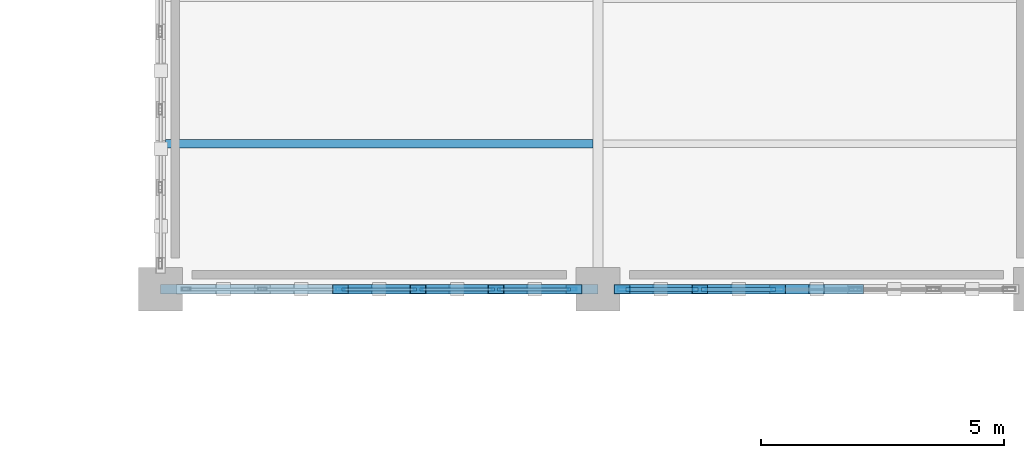
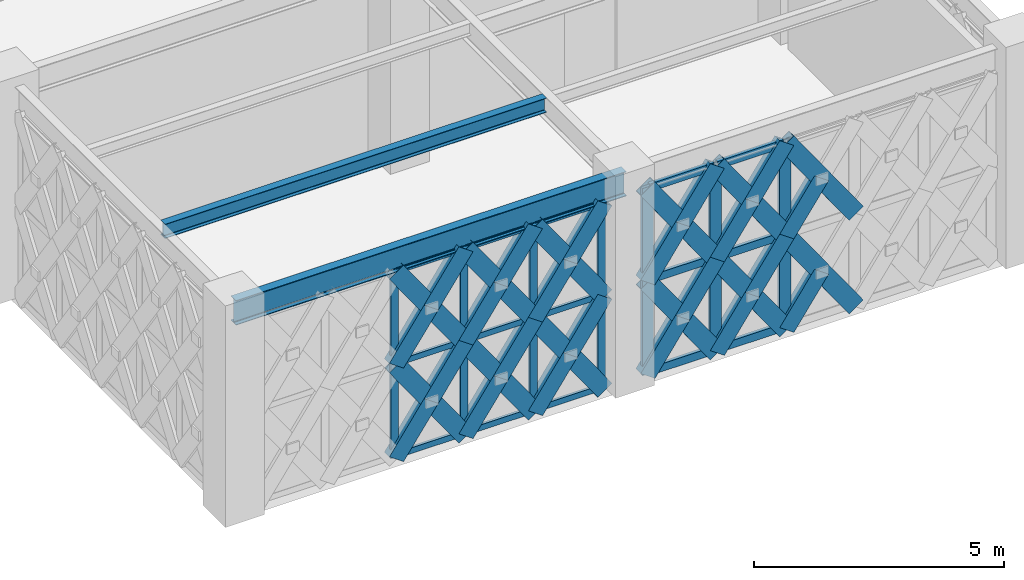
# One storey, part 14 of 155: 56 members, 2 beams, 2 elements without a shape of their own.
"""IFC4 building model written with IfcOpenShell, lengths in metres."""

from ifc_helpers import new_model, si_unit, direction, frame, origin, origin_2d, place, context, subcontext, project, spatial, hollow_rectangle, i_section, extrude, material, material_profile, profile_set, type_object, element, aggregate, save


model = new_model("IFC4")

# Units and contexts
model_context = context("Model", 3, precision=1e-05, world=origin(), true_north=direction((0.0, 1.0)))
body_context = subcontext(model_context, "Body", "Model", "MODEL_VIEW")
ifc_project = project(units=[si_unit("LENGTHUNIT", "METRE"), si_unit("AREAUNIT", "SQUARE_METRE"), si_unit("VOLUMEUNIT", "CUBIC_METRE"), si_unit("PLANEANGLEUNIT", "RADIAN"), si_unit("MASSUNIT", "GRAM", prefix="KILO")], contexts=[model_context])

# Site, building, storey
site_placement = place(None, origin())
site = spatial("IfcSite", under=ifc_project, at=site_placement, CompositionType="ELEMENT")
building_placement = place(site_placement, origin())
building = spatial("IfcBuilding", under=site, at=building_placement, Name="Haizhuo Lancet Aquarium", CompositionType="ELEMENT")
storey_placement = place(building_placement, frame((0.0, 0.0, 10.800048828125)))
storey = spatial("IfcBuildingStorey", under=building, at=storey_placement, Name="L02", CompositionType="ELEMENT", Elevation=10.800048828125)

# Beam
ifc_material_1 = material(Name="Steel S355", Category="steel")
ifc_material_profile_1 = material_profile(ifc_material_1, i_section(OverallWidth=0.199951171875, OverallDepth=0.60009765625, WebThickness=0.010986328125, FlangeThickness=0.01708984375, FilletRadius=0.02197265625, at=origin_2d()), Name="HN 600x200x11x17")
ifc_profile_set_1 = profile_set([ifc_material_profile_1], Name="Steel S355")
beam_type_1 = type_object("IfcBeamType", Name="BM-ST-HN600", PredefinedType="BEAM", material=ifc_profile_set_1)
beam_1_placement = place(storey_placement, frame((-54.0, -36.0, 4.85986328125), z_axis=(1.0, 0.0, 0.0), x_axis=(0.0, 1.0, 0.0)))
element("IfcBeam", 1, at=beam_1_placement, inside=storey, type_object=beam_type_1, Name="L02 V6 primary girder BM-L02-V6-015", PredefinedType="BEAM", context=body_context, shape_type="SweptSolid", body=[
    extrude(i_section(OverallWidth=0.199951171875, OverallDepth=0.60009765625, WebThickness=0.010986328125, FlangeThickness=0.01708984375, FilletRadius=0.02197265625, at=origin_2d()), origin(), (0.0, 0.0, 1.0), 9.0),
])

# Curtain wall, members
ifc_material_2 = material(Name="Aluminium 6063-T6", Category="aluminium")
curtain_wall_type = type_object("IfcCurtainWallType", Name="CWD-8010x4560", PredefinedType="NOTDEFINED", material=ifc_material_2)
curtain_wall_1_placement = place(storey_placement, origin())
curtain_wall_1 = element("IfcCurtainWall", 2, at=curtain_wall_1_placement, inside=storey, type_object=curtain_wall_type, Name="L02 curtain wall CW-V6-L02-223", PredefinedType="NOTDEFINED")
ifc_material_profile_2 = material_profile(ifc_material_2, hollow_rectangle(XDim=0.06494140625, YDim=0.179931640625, WallThickness=0.00390625, at=origin_2d()), Name="ALU-M 65x180x4")
ifc_profile_set_2 = profile_set([ifc_material_profile_2], Name="Aluminium 6063-T6")
member_type_1 = type_object("IfcMemberType", Name="CW-MUL-1", PredefinedType="MULLION", material=ifc_profile_set_2)
member_1_placement = place(storey_placement, frame((-45.527099609375, -36.0, 0.0), z_axis=(0.0, 0.0, 1.0), x_axis=(0.0, -1.0, 0.0)))
member_1 = element("IfcMember", 3, at=member_1_placement, type_object=member_type_1, Name="CWD-80x45 mullion 1", PredefinedType="MULLION", context=body_context, shape_type="SweptSolid", body=[
    extrude(hollow_rectangle(XDim=0.06494140625, YDim=0.179931640625, WallThickness=0.00390625, at=origin_2d()), origin(), (0.0, 0.0, 1.0), 4.56005859375),
])
member_2_placement = place(storey_placement, frame((-47.096923828125, -36.0, 0.0), z_axis=(0.0, 0.0, 1.0), x_axis=(0.0, -1.0, 0.0)))
member_2 = element("IfcMember", 4, at=member_2_placement, type_object=member_type_1, Name="CWD-80x45 mullion 2", PredefinedType="MULLION", context=body_context, shape_type="SweptSolid", body=[
    extrude(hollow_rectangle(XDim=0.06494140625, YDim=0.179931640625, WallThickness=0.00390625, at=origin_2d()), origin(), (0.0, 0.0, 1.0), 4.56005859375),
])
member_3_placement = place(storey_placement, frame((-48.698974609375, -36.0, 0.0), z_axis=(0.0, 0.0, 1.0), x_axis=(0.0, -1.0, 0.0)))
member_3 = element("IfcMember", 5, at=member_3_placement, type_object=member_type_1, Name="CWD-80x45 mullion 3", PredefinedType="MULLION", context=body_context, shape_type="SweptSolid", body=[
    extrude(hollow_rectangle(XDim=0.06494140625, YDim=0.179931640625, WallThickness=0.00390625, at=origin_2d()), origin(), (0.0, 0.0, 1.0), 4.56005859375),
])
member_4_placement = place(storey_placement, frame((-50.301025390625, -36.0, 0.0), z_axis=(0.0, 0.0, 1.0), x_axis=(0.0, -1.0, 0.0)))
member_4 = element("IfcMember", 6, at=member_4_placement, type_object=member_type_1, Name="CWD-80x45 mullion 4", PredefinedType="MULLION", context=body_context, shape_type="SweptSolid", body=[
    extrude(hollow_rectangle(XDim=0.06494140625, YDim=0.179931640625, WallThickness=0.00390625, at=origin_2d()), origin(), (0.0, 0.0, 1.0), 4.56005859375),
])

curtain_wall_2_placement = place(storey_placement, origin())
curtain_wall_2 = element("IfcCurtainWall", 7, at=curtain_wall_2_placement, inside=storey, type_object=curtain_wall_type, Name="L02 curtain wall CW-V6-L02-222", PredefinedType="NOTDEFINED")
ifc_material_profile_3 = material_profile(ifc_material_2, hollow_rectangle(XDim=0.080078125, YDim=0.260009765625, WallThickness=0.0048828125, at=origin_2d()), Name="ALU-M 80x260x5")
ifc_profile_set_3 = profile_set([ifc_material_profile_3], Name="Aluminium 6063-T6")
member_type_2 = type_object("IfcMemberType", Name="CW-MUL-3", PredefinedType="MULLION", material=ifc_profile_set_3)
member_5_placement = place(storey_placement, frame((-41.301025390625, -36.0, 0.0), z_axis=(0.0, 0.0, 1.0), x_axis=(0.0, -1.0, 0.0)))
member_5 = element("IfcMember", 8, at=member_5_placement, type_object=member_type_2, Name="CWD-80x45 mullion 4", PredefinedType="MULLION", context=body_context, shape_type="SweptSolid", body=[
    extrude(hollow_rectangle(XDim=0.080078125, YDim=0.260009765625, WallThickness=0.0048828125, at=origin_2d()), origin(), (0.0, 0.0, 1.0), 4.56005859375),
])
member_6_placement = place(storey_placement, frame((-42.903076171875, -36.0, 0.0), z_axis=(0.0, 0.0, 1.0), x_axis=(0.0, -1.0, 0.0)))
member_6 = element("IfcMember", 9, at=member_6_placement, type_object=member_type_2, Name="CWD-80x45 mullion 5", PredefinedType="MULLION", context=body_context, shape_type="SweptSolid", body=[
    extrude(hollow_rectangle(XDim=0.080078125, YDim=0.260009765625, WallThickness=0.0048828125, at=origin_2d()), origin(), (0.0, 0.0, 1.0), 4.56005859375),
])
member_7_placement = place(storey_placement, frame((-44.465087890625, -36.0, 0.0), z_axis=(0.0, 0.0, 1.0), x_axis=(0.0, -1.0, 0.0)))
member_7 = element("IfcMember", 10, at=member_7_placement, type_object=member_type_2, Name="CWD-80x45 mullion 6", PredefinedType="MULLION", context=body_context, shape_type="SweptSolid", body=[
    extrude(hollow_rectangle(XDim=0.080078125, YDim=0.260009765625, WallThickness=0.0048828125, at=origin_2d()), origin(), (0.0, 0.0, 1.0), 4.56005859375),
])

# Member
ifc_material_profile_4 = material_profile(ifc_material_2, hollow_rectangle(XDim=0.06494140625, YDim=0.139892578125, WallThickness=0.00390625, at=origin_2d()), Name="ALU-T 65x140x4")
ifc_profile_set_4 = profile_set([ifc_material_profile_4], Name="Aluminium 6063-T6")
member_type_3 = type_object("IfcMemberType", Name="CW-TRN-1", PredefinedType="NOTDEFINED", material=ifc_profile_set_4)
member_8_placement = place(storey_placement, frame((-45.56005859375, -36.0, 0.032958984375), z_axis=(-1.0, 0.0, 0.0), x_axis=(0.0, -1.0, 0.0)))
member_8 = element("IfcMember", 11, at=member_8_placement, type_object=member_type_3, Name="CWD-80x45 transom 1.1", ObjectType="TRANSOM", PredefinedType="USERDEFINED", context=body_context, shape_type="SweptSolid", body=[
    extrude(hollow_rectangle(XDim=0.06494140625, YDim=0.139892578125, WallThickness=0.00390625, at=origin_2d()), origin(), (0.0, 0.0, 1.0), 1.50390625),
])

member_9_placement = place(storey_placement, frame((-45.56005859375, -36.0, 2.280029296875), z_axis=(-1.0, 0.0, 0.0), x_axis=(0.0, -1.0, 0.0)))
member_9 = element("IfcMember", 12, at=member_9_placement, type_object=member_type_3, Name="CWD-80x45 transom 1.2", ObjectType="TRANSOM", PredefinedType="USERDEFINED", context=body_context, shape_type="SweptSolid", body=[
    extrude(hollow_rectangle(XDim=0.06494140625, YDim=0.139892578125, WallThickness=0.00390625, at=origin_2d()), origin(), (0.0, 0.0, 1.0), 1.50390625),
])

member_10_placement = place(storey_placement, frame((-45.56005859375, -36.0, 4.52685546875), z_axis=(-1.0, 0.0, 0.0), x_axis=(0.0, -1.0, 0.0)))
member_10 = element("IfcMember", 13, at=member_10_placement, type_object=member_type_3, Name="CWD-80x45 transom 1.3", ObjectType="TRANSOM", PredefinedType="USERDEFINED", context=body_context, shape_type="SweptSolid", body=[
    extrude(hollow_rectangle(XDim=0.06494140625, YDim=0.139892578125, WallThickness=0.00390625, at=origin_2d()), origin(), (0.0, 0.0, 1.0), 1.50390625),
])

member_11_placement = place(storey_placement, frame((-47.1298828125, -36.0, 0.032958984375), z_axis=(-1.0, 0.0, 0.0), x_axis=(0.0, -1.0, 0.0)))
member_11 = element("IfcMember", 14, at=member_11_placement, type_object=member_type_3, Name="CWD-80x45 transom 2.1", ObjectType="TRANSOM", PredefinedType="USERDEFINED", context=body_context, shape_type="SweptSolid", body=[
    extrude(hollow_rectangle(XDim=0.06494140625, YDim=0.139892578125, WallThickness=0.00390625, at=origin_2d()), origin(), (0.0, 0.0, 1.0), 1.5361328125),
])

member_12_placement = place(storey_placement, frame((-47.1298828125, -36.0, 2.280029296875), z_axis=(-1.0, 0.0, 0.0), x_axis=(0.0, -1.0, 0.0)))
member_12 = element("IfcMember", 15, at=member_12_placement, type_object=member_type_3, Name="CWD-80x45 transom 2.2", ObjectType="TRANSOM", PredefinedType="USERDEFINED", context=body_context, shape_type="SweptSolid", body=[
    extrude(hollow_rectangle(XDim=0.06494140625, YDim=0.139892578125, WallThickness=0.00390625, at=origin_2d()), origin(), (0.0, 0.0, 1.0), 1.5361328125),
])

member_13_placement = place(storey_placement, frame((-47.1298828125, -36.0, 4.52685546875), z_axis=(-1.0, 0.0, 0.0), x_axis=(0.0, -1.0, 0.0)))
member_13 = element("IfcMember", 16, at=member_13_placement, type_object=member_type_3, Name="CWD-80x45 transom 2.3", ObjectType="TRANSOM", PredefinedType="USERDEFINED", context=body_context, shape_type="SweptSolid", body=[
    extrude(hollow_rectangle(XDim=0.06494140625, YDim=0.139892578125, WallThickness=0.00390625, at=origin_2d()), origin(), (0.0, 0.0, 1.0), 1.5361328125),
])

member_14_placement = place(storey_placement, frame((-48.73095703125, -36.0, 0.032958984375), z_axis=(-1.0, 0.0, 0.0), x_axis=(0.0, -1.0, 0.0)))
member_14 = element("IfcMember", 17, at=member_14_placement, type_object=member_type_3, Name="CWD-80x45 transom 3.1", ObjectType="TRANSOM", PredefinedType="USERDEFINED", context=body_context, shape_type="SweptSolid", body=[
    extrude(hollow_rectangle(XDim=0.06494140625, YDim=0.139892578125, WallThickness=0.00390625, at=origin_2d()), origin(), (0.0, 0.0, 1.0), 1.5380859375),
])

member_15_placement = place(storey_placement, frame((-48.73095703125, -36.0, 2.280029296875), z_axis=(-1.0, 0.0, 0.0), x_axis=(0.0, -1.0, 0.0)))
member_15 = element("IfcMember", 18, at=member_15_placement, type_object=member_type_3, Name="CWD-80x45 transom 3.2", ObjectType="TRANSOM", PredefinedType="USERDEFINED", context=body_context, shape_type="SweptSolid", body=[
    extrude(hollow_rectangle(XDim=0.06494140625, YDim=0.139892578125, WallThickness=0.00390625, at=origin_2d()), origin(), (0.0, 0.0, 1.0), 1.5380859375),
])

member_16_placement = place(storey_placement, frame((-48.73095703125, -36.0, 4.52685546875), z_axis=(-1.0, 0.0, 0.0), x_axis=(0.0, -1.0, 0.0)))
member_16 = element("IfcMember", 19, at=member_16_placement, type_object=member_type_3, Name="CWD-80x45 transom 3.3", ObjectType="TRANSOM", PredefinedType="USERDEFINED", context=body_context, shape_type="SweptSolid", body=[
    extrude(hollow_rectangle(XDim=0.06494140625, YDim=0.139892578125, WallThickness=0.00390625, at=origin_2d()), origin(), (0.0, 0.0, 1.0), 1.5380859375),
])

aggregate(curtain_wall_1, [member_1, member_2, member_3, member_4, member_8, member_9, member_10, member_11, member_12, member_13, member_14, member_15, member_16])

ifc_material_profile_5 = material_profile(ifc_material_2, hollow_rectangle(XDim=0.080078125, YDim=0.18994140625, WallThickness=0.0048828125, at=origin_2d()), Name="ALU-T 80x190x5")
ifc_profile_set_5 = profile_set([ifc_material_profile_5], Name="Aluminium 6063-T6")
member_type_4 = type_object("IfcMemberType", Name="CW-TRN-3", PredefinedType="NOTDEFINED", material=ifc_profile_set_5)
member_17_placement = place(storey_placement, frame((-41.341064453125, -36.0, 0.0400390625), z_axis=(-1.0, 0.0, 0.0), x_axis=(0.0, -1.0, 0.0)))
member_17 = element("IfcMember", 20, at=member_17_placement, type_object=member_type_4, Name="CWD-80x45 transom 4.1", ObjectType="TRANSOM", PredefinedType="USERDEFINED", context=body_context, shape_type="SweptSolid", body=[
    extrude(hollow_rectangle(XDim=0.080078125, YDim=0.18994140625, WallThickness=0.0048828125, at=origin_2d()), origin(), (0.0, 0.0, 1.0), 1.52197265625),
])

member_18_placement = place(storey_placement, frame((-41.341064453125, -36.0, 2.280029296875), z_axis=(-1.0, 0.0, 0.0), x_axis=(0.0, -1.0, 0.0)))
member_18 = element("IfcMember", 21, at=member_18_placement, type_object=member_type_4, Name="CWD-80x45 transom 4.2", ObjectType="TRANSOM", PredefinedType="USERDEFINED", context=body_context, shape_type="SweptSolid", body=[
    extrude(hollow_rectangle(XDim=0.080078125, YDim=0.18994140625, WallThickness=0.0048828125, at=origin_2d()), origin(), (0.0, 0.0, 1.0), 1.52197265625),
])

member_19_placement = place(storey_placement, frame((-41.341064453125, -36.0, 4.52001953125), z_axis=(-1.0, 0.0, 0.0), x_axis=(0.0, -1.0, 0.0)))
member_19 = element("IfcMember", 22, at=member_19_placement, type_object=member_type_4, Name="CWD-80x45 transom 4.3", ObjectType="TRANSOM", PredefinedType="USERDEFINED", context=body_context, shape_type="SweptSolid", body=[
    extrude(hollow_rectangle(XDim=0.080078125, YDim=0.18994140625, WallThickness=0.0048828125, at=origin_2d()), origin(), (0.0, 0.0, 1.0), 1.52197265625),
])

member_20_placement = place(storey_placement, frame((-42.943115234375, -36.0, 0.0400390625), z_axis=(-1.0, 0.0, 0.0), x_axis=(0.0, -1.0, 0.0)))
member_20 = element("IfcMember", 23, at=member_20_placement, type_object=member_type_4, Name="CWD-80x45 transom 5.1", ObjectType="TRANSOM", PredefinedType="USERDEFINED", context=body_context, shape_type="SweptSolid", body=[
    extrude(hollow_rectangle(XDim=0.080078125, YDim=0.18994140625, WallThickness=0.0048828125, at=origin_2d()), origin(), (0.0, 0.0, 1.0), 1.48193359375),
])

member_21_placement = place(storey_placement, frame((-42.943115234375, -36.0, 2.280029296875), z_axis=(-1.0, 0.0, 0.0), x_axis=(0.0, -1.0, 0.0)))
member_21 = element("IfcMember", 24, at=member_21_placement, type_object=member_type_4, Name="CWD-80x45 transom 5.2", ObjectType="TRANSOM", PredefinedType="USERDEFINED", context=body_context, shape_type="SweptSolid", body=[
    extrude(hollow_rectangle(XDim=0.080078125, YDim=0.18994140625, WallThickness=0.0048828125, at=origin_2d()), origin(), (0.0, 0.0, 1.0), 1.48193359375),
])

member_22_placement = place(storey_placement, frame((-42.943115234375, -36.0, 4.52001953125), z_axis=(-1.0, 0.0, 0.0), x_axis=(0.0, -1.0, 0.0)))
member_22 = element("IfcMember", 25, at=member_22_placement, type_object=member_type_4, Name="CWD-80x45 transom 5.3", ObjectType="TRANSOM", PredefinedType="USERDEFINED", context=body_context, shape_type="SweptSolid", body=[
    extrude(hollow_rectangle(XDim=0.080078125, YDim=0.18994140625, WallThickness=0.0048828125, at=origin_2d()), origin(), (0.0, 0.0, 1.0), 1.48193359375),
])

aggregate(curtain_wall_2, [member_5, member_6, member_7, member_17, member_18, member_19, member_20, member_21, member_22])

# Beam
ifc_material_profile_6 = material_profile(ifc_material_1, i_section(OverallWidth=0.175048828125, OverallDepth=0.35009765625, WebThickness=0.007080078125, FlangeThickness=0.010986328125, FilletRadius=0.013916015625, at=origin_2d()), Name="HN 350x175x7x11")
ifc_profile_set_6 = profile_set([ifc_material_profile_6], Name="Steel S355")
beam_type_2 = type_object("IfcBeamType", Name="JST-ST-HN350", PredefinedType="JOIST", material=ifc_profile_set_6)
beam_2_placement = place(storey_placement, frame((-53.89990234375, -33.0, 4.98486328125), z_axis=(1.0, 0.0, 0.0), x_axis=(0.0, 1.0, 0.0)))
element("IfcBeam", 26, at=beam_2_placement, inside=storey, type_object=beam_type_2, Name="L02 V6 secondary floor joist 10", PredefinedType="JOIST", context=body_context, shape_type="SweptSolid", body=[
    extrude(i_section(OverallWidth=0.175048828125, OverallDepth=0.35009765625, WebThickness=0.007080078125, FlangeThickness=0.010986328125, FilletRadius=0.013916015625, at=origin_2d()), origin(), (0.0, 0.0, 1.0), 8.7998046875),
])

# Members
ifc_material_profile_7 = material_profile(ifc_material_1, hollow_rectangle(XDim=0.199951171875, YDim=0.39990234375, WallThickness=0.011962890625, at=origin_2d()), Name="RHS 200x400x12")
ifc_profile_set_7 = profile_set([ifc_material_profile_7], Name="Steel S355")
member_type_5 = type_object("IfcMemberType", Name="MEM-LB-RHS200x400", PredefinedType="BRACE", material=ifc_profile_set_7)
member_23_placement = place(storey_placement, frame((-39.698974609375, -36.0, 0.0), z_axis=(-0.574913812948, 0.0, 0.818213974264), x_axis=(0.0, -1.0, 0.0)))
element("IfcMember", 27, at=member_23_placement, inside=storey, type_object=member_type_5, Name="Gothic lancet continuous diagonal brace CW-V6-L02-222 5A", PredefinedType="BRACE", context=body_context, shape_type="SweptSolid", body=[
    extrude(hollow_rectangle(XDim=0.199951171875, YDim=0.39990234375, WallThickness=0.011962890625, at=origin_2d()), origin(), (0.0, 0.0, 1.0), 2.78662109375),
])
member_24_placement = place(storey_placement, frame((-41.301025390625, -36.0, 0.0), z_axis=(0.574955028356, 0.0, 0.818185012921), x_axis=(0.0, 1.0, 0.0)))
element("IfcMember", 28, at=member_24_placement, inside=storey, type_object=member_type_5, Name="Gothic lancet split diagonal brace CW-V6-L02-222 5B1", PredefinedType="BRACE", context=body_context, shape_type="SweptSolid", body=[
    extrude(hollow_rectangle(XDim=0.199951171875, YDim=0.39990234375, WallThickness=0.011962890625, at=origin_2d()), origin(), (0.0, 0.0, 1.0), 1.393310546875),
])
member_25_placement = place(storey_placement, frame((-39.698974609375, -36.0, 2.280029296875), z_axis=(-0.574913812948, 0.0, 0.818213974264), x_axis=(0.0, -1.0, 0.0)))
element("IfcMember", 29, at=member_25_placement, inside=storey, type_object=member_type_5, Name="Gothic lancet continuous diagonal brace CW-V6-L02-222 6A", PredefinedType="BRACE", context=body_context, shape_type="SweptSolid", body=[
    extrude(hollow_rectangle(XDim=0.199951171875, YDim=0.39990234375, WallThickness=0.011962890625, at=origin_2d()), origin(), (0.0, 0.0, 1.0), 2.78662109375),
])
member_26_placement = place(storey_placement, frame((-41.301025390625, -36.0, 2.280029296875), z_axis=(0.574955028356, 0.0, 0.818185012921), x_axis=(0.0, 1.0, 0.0)))
element("IfcMember", 30, at=member_26_placement, inside=storey, type_object=member_type_5, Name="Gothic lancet split diagonal brace CW-V6-L02-222 6B1", PredefinedType="BRACE", context=body_context, shape_type="SweptSolid", body=[
    extrude(hollow_rectangle(XDim=0.199951171875, YDim=0.39990234375, WallThickness=0.011962890625, at=origin_2d()), origin(), (0.0, 0.0, 1.0), 1.393310546875),
])
member_27_placement = place(storey_placement, frame((-41.301025390625, -36.0, 0.0), z_axis=(-0.574913812948, 0.0, 0.818213974264), x_axis=(0.0, -1.0, 0.0)))
element("IfcMember", 31, at=member_27_placement, inside=storey, type_object=member_type_5, Name="Gothic lancet continuous diagonal brace CW-V6-L02-222 7A", PredefinedType="BRACE", context=body_context, shape_type="SweptSolid", body=[
    extrude(hollow_rectangle(XDim=0.199951171875, YDim=0.39990234375, WallThickness=0.011962890625, at=origin_2d()), origin(), (0.0, 0.0, 1.0), 2.78662109375),
])
for number, where, z_axis, x_axis, name in (
    (32, (-42.903076171875, -36.0, 0.0), (0.574955028356, 0.0, 0.818185012921), (0.0, 1.0, 0.0), "Gothic lancet split diagonal brace CW-V6-L02-222 7B1"),
    (33, (-42.10205078125, -36.0, 1.139892578125), (0.574872601991, 0.0, 0.81824292938), (0.0, 1.0, 0.0), "Gothic lancet split diagonal brace CW-V6-L02-222 7B2"),
):
    element("IfcMember", number, at=place(storey_placement, frame(where, z_axis=z_axis, x_axis=x_axis)), inside=storey, type_object=member_type_5, Name=name, PredefinedType="BRACE", context=body_context, shape_type="SweptSolid", body=[
        extrude(hollow_rectangle(XDim=0.199951171875, YDim=0.39990234375, WallThickness=0.011962890625, at=origin_2d()), origin(), (0.0, 0.0, 1.0), 1.393310546875),
    ])
member_28_placement = place(storey_placement, frame((-41.301025390625, -36.0, 2.280029296875), z_axis=(-0.574913812948, 0.0, 0.818213974264), x_axis=(0.0, -1.0, 0.0)))
element("IfcMember", 34, at=member_28_placement, inside=storey, type_object=member_type_5, Name="Gothic lancet continuous diagonal brace CW-V6-L02-222 8A", PredefinedType="BRACE", context=body_context, shape_type="SweptSolid", body=[
    extrude(hollow_rectangle(XDim=0.199951171875, YDim=0.39990234375, WallThickness=0.011962890625, at=origin_2d()), origin(), (0.0, 0.0, 1.0), 2.78662109375),
])
for number, where, z_axis, x_axis, name in (
    (35, (-42.903076171875, -36.0, 2.280029296875), (0.574955028356, 0.0, 0.818185012921), (0.0, 1.0, 0.0), "Gothic lancet split diagonal brace CW-V6-L02-222 8B1"),
    (36, (-42.10205078125, -36.0, 3.419921875), (0.574872601991, 0.0, 0.81824292938), (0.0, 1.0, 0.0), "Gothic lancet split diagonal brace CW-V6-L02-222 8B2"),
):
    element("IfcMember", number, at=place(storey_placement, frame(where, z_axis=z_axis, x_axis=x_axis)), inside=storey, type_object=member_type_5, Name=name, PredefinedType="BRACE", context=body_context, shape_type="SweptSolid", body=[
        extrude(hollow_rectangle(XDim=0.199951171875, YDim=0.39990234375, WallThickness=0.011962890625, at=origin_2d()), origin(), (0.0, 0.0, 1.0), 1.393310546875),
    ])
member_29_placement = place(storey_placement, frame((-42.903076171875, -36.0, 0.0), z_axis=(-0.574855154156, 0.0, 0.81825518742), x_axis=(0.0, -1.0, 0.0)))
element("IfcMember", 37, at=member_29_placement, inside=storey, type_object=member_type_5, Name="Gothic lancet continuous diagonal brace CW-V6-L02-222 9A", PredefinedType="BRACE", context=body_context, shape_type="SweptSolid", body=[
    extrude(hollow_rectangle(XDim=0.199951171875, YDim=0.39990234375, WallThickness=0.011962890625, at=origin_2d()), origin(), (0.0, 0.0, 1.0), 2.786376953125),
])
member_30_placement = place(storey_placement, frame((-44.5048828125, -36.0, 0.0), z_axis=(0.5748377018, 0.0, 0.818267448081), x_axis=(0.0, 1.0, 0.0)))
element("IfcMember", 38, at=member_30_placement, inside=storey, type_object=member_type_5, Name="Gothic lancet split diagonal brace CW-V6-L02-222 9B1", PredefinedType="BRACE", context=body_context, shape_type="SweptSolid", body=[
    extrude(hollow_rectangle(XDim=0.199951171875, YDim=0.39990234375, WallThickness=0.011962890625, at=origin_2d()), origin(), (0.0, 0.0, 1.0), 1.39306640625),
])
member_31_placement = place(storey_placement, frame((-43.7041015625, -36.0, 1.139892578125), z_axis=(0.574872601991, 0.0, 0.81824292938), x_axis=(0.0, 1.0, 0.0)))
element("IfcMember", 39, at=member_31_placement, inside=storey, type_object=member_type_5, Name="Gothic lancet split diagonal brace CW-V6-L02-222 9B2", PredefinedType="BRACE", context=body_context, shape_type="SweptSolid", body=[
    extrude(hollow_rectangle(XDim=0.199951171875, YDim=0.39990234375, WallThickness=0.011962890625, at=origin_2d()), origin(), (0.0, 0.0, 1.0), 1.393310546875),
])
member_32_placement = place(storey_placement, frame((-42.903076171875, -36.0, 2.280029296875), z_axis=(-0.574855154156, 0.0, 0.81825518742), x_axis=(0.0, -1.0, 0.0)))
element("IfcMember", 40, at=member_32_placement, inside=storey, type_object=member_type_5, Name="Gothic lancet continuous diagonal brace CW-V6-L02-222 10A", PredefinedType="BRACE", context=body_context, shape_type="SweptSolid", body=[
    extrude(hollow_rectangle(XDim=0.199951171875, YDim=0.39990234375, WallThickness=0.011962890625, at=origin_2d()), origin(), (0.0, 0.0, 1.0), 2.786376953125),
])
member_33_placement = place(storey_placement, frame((-44.5048828125, -36.0, 2.280029296875), z_axis=(0.5748377018, 0.0, 0.818267448081), x_axis=(0.0, 1.0, 0.0)))
element("IfcMember", 41, at=member_33_placement, inside=storey, type_object=member_type_5, Name="Gothic lancet split diagonal brace CW-V6-L02-222 10B1", PredefinedType="BRACE", context=body_context, shape_type="SweptSolid", body=[
    extrude(hollow_rectangle(XDim=0.199951171875, YDim=0.39990234375, WallThickness=0.011962890625, at=origin_2d()), origin(), (0.0, 0.0, 1.0), 1.39306640625),
])
member_34_placement = place(storey_placement, frame((-43.7041015625, -36.0, 3.419921875), z_axis=(0.574872601991, 0.0, 0.81824292938), x_axis=(0.0, 1.0, 0.0)))
element("IfcMember", 42, at=member_34_placement, inside=storey, type_object=member_type_5, Name="Gothic lancet split diagonal brace CW-V6-L02-222 10B2", PredefinedType="BRACE", context=body_context, shape_type="SweptSolid", body=[
    extrude(hollow_rectangle(XDim=0.199951171875, YDim=0.39990234375, WallThickness=0.011962890625, at=origin_2d()), origin(), (0.0, 0.0, 1.0), 1.393310546875),
])
member_35_placement = place(storey_placement, frame((-45.4951171875, -36.0, 0.0), z_axis=(-0.574855154156, 0.0, 0.81825518742), x_axis=(0.0, -1.0, 0.0)))
element("IfcMember", 43, at=member_35_placement, inside=storey, type_object=member_type_5, Name="Gothic lancet continuous diagonal brace CW-V6-L02-223 1A", PredefinedType="BRACE", context=body_context, shape_type="SweptSolid", body=[
    extrude(hollow_rectangle(XDim=0.199951171875, YDim=0.39990234375, WallThickness=0.011962890625, at=origin_2d()), origin(), (0.0, 0.0, 1.0), 2.786376953125),
])
for number, where, z_axis, x_axis, name in (
    (44, (-47.096923828125, -36.0, 0.0), (0.574955028356, 0.0, 0.818185012921), (0.0, 1.0, 0.0), "Gothic lancet split diagonal brace CW-V6-L02-223 1B1"),
    (45, (-46.2958984375, -36.0, 1.139892578125), (0.574755275652, 0.0, 0.818325346736), (0.0, 1.0, 0.0), "Gothic lancet split diagonal brace CW-V6-L02-223 1B2"),
):
    element("IfcMember", number, at=place(storey_placement, frame(where, z_axis=z_axis, x_axis=x_axis)), inside=storey, type_object=member_type_5, Name=name, PredefinedType="BRACE", context=body_context, shape_type="SweptSolid", body=[
        extrude(hollow_rectangle(XDim=0.199951171875, YDim=0.39990234375, WallThickness=0.011962890625, at=origin_2d()), origin(), (0.0, 0.0, 1.0), 1.393310546875),
    ])
member_36_placement = place(storey_placement, frame((-45.4951171875, -36.0, 2.280029296875), z_axis=(-0.574855154156, 0.0, 0.81825518742), x_axis=(0.0, -1.0, 0.0)))
element("IfcMember", 46, at=member_36_placement, inside=storey, type_object=member_type_5, Name="Gothic lancet continuous diagonal brace CW-V6-L02-223 2A", PredefinedType="BRACE", context=body_context, shape_type="SweptSolid", body=[
    extrude(hollow_rectangle(XDim=0.199951171875, YDim=0.39990234375, WallThickness=0.011962890625, at=origin_2d()), origin(), (0.0, 0.0, 1.0), 2.786376953125),
])
for number, where, z_axis, x_axis, name in (
    (47, (-47.096923828125, -36.0, 2.280029296875), (0.574955028356, 0.0, 0.818185012921), (0.0, 1.0, 0.0), "Gothic lancet split diagonal brace CW-V6-L02-223 2B1"),
    (48, (-46.2958984375, -36.0, 3.419921875), (0.574755275652, 0.0, 0.818325346736), (0.0, 1.0, 0.0), "Gothic lancet split diagonal brace CW-V6-L02-223 2B2"),
):
    element("IfcMember", number, at=place(storey_placement, frame(where, z_axis=z_axis, x_axis=x_axis)), inside=storey, type_object=member_type_5, Name=name, PredefinedType="BRACE", context=body_context, shape_type="SweptSolid", body=[
        extrude(hollow_rectangle(XDim=0.199951171875, YDim=0.39990234375, WallThickness=0.011962890625, at=origin_2d()), origin(), (0.0, 0.0, 1.0), 1.393310546875),
    ])
member_37_placement = place(storey_placement, frame((-47.096923828125, -36.0, 0.0), z_axis=(-0.574913812948, 0.0, 0.818213974264), x_axis=(0.0, -1.0, 0.0)))
element("IfcMember", 49, at=member_37_placement, inside=storey, type_object=member_type_5, Name="Gothic lancet continuous diagonal brace CW-V6-L02-223 3A", PredefinedType="BRACE", context=body_context, shape_type="SweptSolid", body=[
    extrude(hollow_rectangle(XDim=0.199951171875, YDim=0.39990234375, WallThickness=0.011962890625, at=origin_2d()), origin(), (0.0, 0.0, 1.0), 2.78662109375),
])
for number, where, z_axis, x_axis, name in (
    (50, (-48.698974609375, -36.0, 0.0), (0.574955028356, 0.0, 0.818185012921), (0.0, 1.0, 0.0), "Gothic lancet split diagonal brace CW-V6-L02-223 3B1"),
    (51, (-47.89794921875, -36.0, 1.139892578125), (0.574872601991, 0.0, 0.81824292938), (0.0, 1.0, 0.0), "Gothic lancet split diagonal brace CW-V6-L02-223 3B2"),
):
    element("IfcMember", number, at=place(storey_placement, frame(where, z_axis=z_axis, x_axis=x_axis)), inside=storey, type_object=member_type_5, Name=name, PredefinedType="BRACE", context=body_context, shape_type="SweptSolid", body=[
        extrude(hollow_rectangle(XDim=0.199951171875, YDim=0.39990234375, WallThickness=0.011962890625, at=origin_2d()), origin(), (0.0, 0.0, 1.0), 1.393310546875),
    ])
member_38_placement = place(storey_placement, frame((-47.096923828125, -36.0, 2.280029296875), z_axis=(-0.574913812948, 0.0, 0.818213974264), x_axis=(0.0, -1.0, 0.0)))
element("IfcMember", 52, at=member_38_placement, inside=storey, type_object=member_type_5, Name="Gothic lancet continuous diagonal brace CW-V6-L02-223 4A", PredefinedType="BRACE", context=body_context, shape_type="SweptSolid", body=[
    extrude(hollow_rectangle(XDim=0.199951171875, YDim=0.39990234375, WallThickness=0.011962890625, at=origin_2d()), origin(), (0.0, 0.0, 1.0), 2.78662109375),
])
for number, where, z_axis, x_axis, name in (
    (53, (-48.698974609375, -36.0, 2.280029296875), (0.574955028356, 0.0, 0.818185012921), (0.0, 1.0, 0.0), "Gothic lancet split diagonal brace CW-V6-L02-223 4B1"),
    (54, (-47.89794921875, -36.0, 3.419921875), (0.574872601991, 0.0, 0.81824292938), (0.0, 1.0, 0.0), "Gothic lancet split diagonal brace CW-V6-L02-223 4B2"),
):
    element("IfcMember", number, at=place(storey_placement, frame(where, z_axis=z_axis, x_axis=x_axis)), inside=storey, type_object=member_type_5, Name=name, PredefinedType="BRACE", context=body_context, shape_type="SweptSolid", body=[
        extrude(hollow_rectangle(XDim=0.199951171875, YDim=0.39990234375, WallThickness=0.011962890625, at=origin_2d()), origin(), (0.0, 0.0, 1.0), 1.393310546875),
    ])
member_39_placement = place(storey_placement, frame((-48.698974609375, -36.0, 0.0), z_axis=(-0.574913812948, 0.0, 0.818213974264), x_axis=(0.0, -1.0, 0.0)))
element("IfcMember", 55, at=member_39_placement, inside=storey, type_object=member_type_5, Name="Gothic lancet continuous diagonal brace CW-V6-L02-223 5A", PredefinedType="BRACE", context=body_context, shape_type="SweptSolid", body=[
    extrude(hollow_rectangle(XDim=0.199951171875, YDim=0.39990234375, WallThickness=0.011962890625, at=origin_2d()), origin(), (0.0, 0.0, 1.0), 2.78662109375),
])
for number, where, z_axis, x_axis, name in (
    (56, (-50.301025390625, -36.0, 0.0), (0.574955028356, 0.0, 0.818185012921), (0.0, 1.0, 0.0), "Gothic lancet split diagonal brace CW-V6-L02-223 5B1"),
    (57, (-49.5, -36.0, 1.139892578125), (0.574872601991, 0.0, 0.81824292938), (0.0, 1.0, 0.0), "Gothic lancet split diagonal brace CW-V6-L02-223 5B2"),
):
    element("IfcMember", number, at=place(storey_placement, frame(where, z_axis=z_axis, x_axis=x_axis)), inside=storey, type_object=member_type_5, Name=name, PredefinedType="BRACE", context=body_context, shape_type="SweptSolid", body=[
        extrude(hollow_rectangle(XDim=0.199951171875, YDim=0.39990234375, WallThickness=0.011962890625, at=origin_2d()), origin(), (0.0, 0.0, 1.0), 1.393310546875),
    ])
member_40_placement = place(storey_placement, frame((-48.698974609375, -36.0, 2.280029296875), z_axis=(-0.574913812948, 0.0, 0.818213974264), x_axis=(0.0, -1.0, 0.0)))
element("IfcMember", 58, at=member_40_placement, inside=storey, type_object=member_type_5, Name="Gothic lancet continuous diagonal brace CW-V6-L02-223 6A", PredefinedType="BRACE", context=body_context, shape_type="SweptSolid", body=[
    extrude(hollow_rectangle(XDim=0.199951171875, YDim=0.39990234375, WallThickness=0.011962890625, at=origin_2d()), origin(), (0.0, 0.0, 1.0), 2.78662109375),
])
for number, where, z_axis, x_axis, name in (
    (59, (-50.301025390625, -36.0, 2.280029296875), (0.574955028356, 0.0, 0.818185012921), (0.0, 1.0, 0.0), "Gothic lancet split diagonal brace CW-V6-L02-223 6B1"),
    (60, (-49.5, -36.0, 3.419921875), (0.574872601991, 0.0, 0.81824292938), (0.0, 1.0, 0.0), "Gothic lancet split diagonal brace CW-V6-L02-223 6B2"),
):
    element("IfcMember", number, at=place(storey_placement, frame(where, z_axis=z_axis, x_axis=x_axis)), inside=storey, type_object=member_type_5, Name=name, PredefinedType="BRACE", context=body_context, shape_type="SweptSolid", body=[
        extrude(hollow_rectangle(XDim=0.199951171875, YDim=0.39990234375, WallThickness=0.011962890625, at=origin_2d()), origin(), (0.0, 0.0, 1.0), 1.393310546875),
    ])

save(model, "model.ifc")
